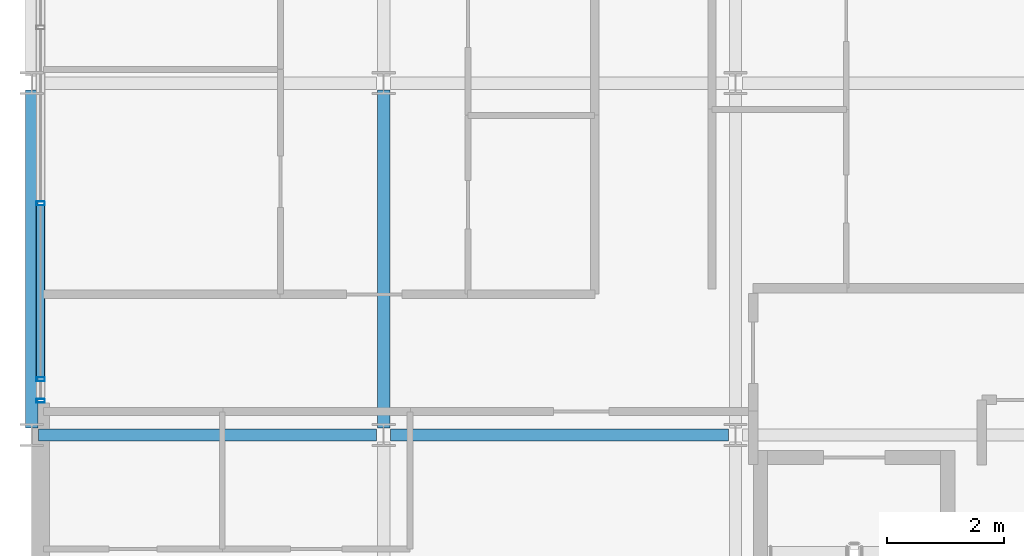
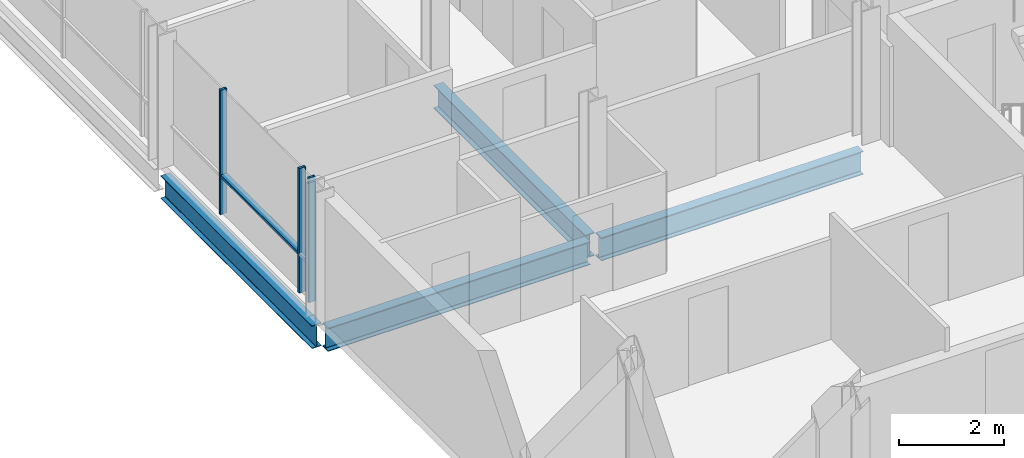
# One storey, part 3 of 27: 4 beams, 4 members, 1 element without a shape of its own.
"""IFC4 building model written with IfcOpenShell, lengths in metres."""

import ifcopenshell
import ifcopenshell.guid

model = None  # the IFC model being written
_history = None  # IfcOwnerHistory: only IFC2X3 demands one
_inside = {}  # id of a spatial element -> (the spatial element, [elements in it])
_under = {}  # id of a project, library or spatial element -> (it, [spatial elements below it])
_declared = {}  # id of a project -> (the project, [libraries it declares])
_typed = {}  # id of a type object -> (the type object, [elements of that type])
_made_of = {}  # id of a material, layer set ... -> (it, [elements and type objects made of it])


def new_model(schema):
    """Start an empty IFC model of exactly this schema.

    Asked for "IFC4X3", IfcOpenShell would pick the latest addendum, in which some entities
    have other attributes; the version numbers below select the first issue.
    IFC2X3 requires an IfcOwnerHistory on every rooted entity: one is made here for all.
    """
    global model, _history
    if schema == "IFC4X3":
        model = ifcopenshell.file(schema_version=(4, 3, 0, 0))
    else:
        model = ifcopenshell.file(schema=schema)
    _inside.clear()
    _under.clear()
    _declared.clear()
    _typed.clear()
    _made_of.clear()
    _history = None
    if model.schema == "IFC2X3":
        org = make("IfcOrganization", Name="unknown")
        user = make(
            "IfcPersonAndOrganization",
            ThePerson=make("IfcPerson", FamilyName="unknown"),
            TheOrganization=org,
        )
        app = make(
            "IfcApplication",
            ApplicationDeveloper=org,
            Version="unknown",
            ApplicationFullName="unknown",
            ApplicationIdentifier="unknown",
        )
        _history = make(
            "IfcOwnerHistory",
            OwningUser=user,
            OwningApplication=app,
            ChangeAction="ADDED",
            CreationDate=0,
        )
    return model


def make(cls, **values):
    """One entity of the class cls with the attributes given. An attribute that is None is left unset."""
    return model.create_entity(
        cls, **{name: value for name, value in values.items() if value is not None}
    )


def rooted(cls, **values):
    """An entity with a GlobalId (a new one), such as an element, a storey or a relation."""
    return make(cls, GlobalId=ifcopenshell.guid.new(), OwnerHistory=_history, **values)


def si_unit(unit_type, name, prefix=None):
    """IfcSIUnit, for example si_unit("LENGTHUNIT", "METRE", prefix="MILLI")."""
    return make("IfcSIUnit", UnitType=unit_type, Prefix=prefix, Name=name)


def assignment(units):
    """IfcUnitAssignment: the units of a project."""
    return None if units is None else make("IfcUnitAssignment", Units=units)


def point(xyz):
    """IfcCartesianPoint."""
    return None if xyz is None else make("IfcCartesianPoint", Coordinates=xyz)


def direction(xyz):
    """IfcDirection."""
    return None if xyz is None else make("IfcDirection", DirectionRatios=xyz)


def frame(location, z_axis=None, x_axis=None):
    """IfcAxis2Placement3D, a coordinate frame: its origin and axes. An axis left out is left unset."""
    return make(
        "IfcAxis2Placement3D",
        Location=point(location),
        Axis=direction(z_axis),
        RefDirection=direction(x_axis),
    )


def frame_2d(location, x_axis=None):
    """IfcAxis2Placement2D, a coordinate frame in the plane: its origin and x axis."""
    return make(
        "IfcAxis2Placement2D", Location=point(location), RefDirection=direction(x_axis)
    )


def origin():
    """The frame at (0, 0, 0) with its axes left unset."""
    return frame((0.0, 0.0, 0.0))


def origin_2d():
    """The frame at (0, 0) in the plane with its x axis left unset."""
    return frame_2d((0.0, 0.0))


def place(relative_to, where):
    """IfcLocalPlacement: puts the frame where relative to a parent placement (None: the world)."""
    return make(
        "IfcLocalPlacement", PlacementRelTo=relative_to, RelativePlacement=where
    )


def context(
    kind, dimensions, precision=None, world=None, true_north=None, identifier=None
):
    """IfcGeometricRepresentationContext, for example the 3D "Model" context."""
    return make(
        "IfcGeometricRepresentationContext",
        ContextIdentifier=identifier,
        ContextType=kind,
        CoordinateSpaceDimension=dimensions,
        Precision=precision,
        WorldCoordinateSystem=world,
        TrueNorth=true_north,
    )


def subcontext(parent, identifier, kind, view, scale=None):
    """IfcGeometricRepresentationSubContext, for example "Body" below "Model"."""
    return make(
        "IfcGeometricRepresentationSubContext",
        ContextIdentifier=identifier,
        ContextType=kind,
        ParentContext=parent,
        TargetScale=scale,
        TargetView=view,
    )


def project(units=None, contexts=None):
    """IfcProject with its units and contexts."""
    return rooted(
        "IfcProject",
        Name="project",
        RepresentationContexts=contexts,
        UnitsInContext=assignment(units),
    )


def spatial(cls, under=None, at=None, **own):
    """A site, building, storey or space (cls), placed at a placement, below another one or the project."""
    s = rooted(cls, ObjectPlacement=at, **own)
    if under is not None:
        _under.setdefault(under.id(), (under, []))[1].append(s)
    return s


def profile(cls, at=None, kind="AREA", **sizes):
    """A parametric profile (cls). Its sizes go by their IFC names, for example OverallWidth=200.0."""
    return make(cls, ProfileType=kind, Position=at, **sizes)


def hollow_rectangle(**sizes):
    """IfcRectangleHollowProfileDef."""
    return profile("IfcRectangleHollowProfileDef", **sizes)


def i_section(**sizes):
    """IfcIShapeProfileDef."""
    return profile("IfcIShapeProfileDef", **sizes)


def extrude(swept, where, along, depth):
    """IfcExtrudedAreaSolid: the profile swept, set in the frame where, extruded along a direction by depth."""
    return make(
        "IfcExtrudedAreaSolid",
        SweptArea=swept,
        Position=where,
        ExtrudedDirection=direction(along),
        Depth=depth,
    )


def shape(context_of_items, identifier, shape_type, items):
    """IfcShapeRepresentation: the items that make up one representation, for example the "Body"."""
    return make(
        "IfcShapeRepresentation",
        ContextOfItems=context_of_items,
        RepresentationIdentifier=identifier,
        RepresentationType=shape_type,
        Items=items,
    )


def material(Name=None, Category=None):
    """IfcMaterial."""
    return make("IfcMaterial", Name=Name, Category=Category)


def layer(
    of_material, thickness, ventilated=None, Name=None, Category=None, Priority=None
):
    """IfcMaterialLayer: one layer of a wall or slab, of a material (None: an air gap)."""
    return make(
        "IfcMaterialLayer",
        Material=of_material,
        LayerThickness=thickness,
        IsVentilated=ventilated,
        Name=Name,
        Category=Category,
        Priority=Priority,
    )


def layer_set(layers, Name=None):
    """IfcMaterialLayerSet."""
    return make("IfcMaterialLayerSet", MaterialLayers=layers, LayerSetName=Name)


def material_profile(
    of_material, cross_section, Name=None, Category=None, Priority=None
):
    """IfcMaterialProfile: a cross section and its material."""
    return make(
        "IfcMaterialProfile",
        Name=Name,
        Material=of_material,
        Profile=cross_section,
        Priority=Priority,
        Category=Category,
    )


def profile_set(profiles, Name=None, composite=None):
    """IfcMaterialProfileSet."""
    return make(
        "IfcMaterialProfileSet",
        Name=Name,
        MaterialProfiles=profiles,
        CompositeProfile=composite,
    )


def made_of(thing, what):
    """Note that an element or type object is made of a material, layer set ...; save() writes the relation."""
    if what is not None:
        _made_of.setdefault(what.id(), (what, []))[1].append(thing)
    return thing


def type_object(cls, material=None, **own):
    """A type object (cls), such as IfcWallType, which elements share."""
    return made_of(rooted(cls, **own), material)


def element(
    cls,
    number,
    at=None,
    inside=None,
    cuts=None,
    type_object=None,
    material=None,
    context=None,
    identifier="Body",
    shape_type=None,
    held_by="IfcProductDefinitionShape",
    body=None,
    shapes=None,
    **own,
):
    """One element of the class cls, such as IfcWall. Its Tag is "e" and its number.

    at: its placement. inside: the storey or other place that contains it. cuts: it is an
    opening in that element (IfcRelVoidsElement). A single representation is given by context,
    identifier, shape_type and body (its items); several are given by shapes. held_by: the class
    of the entity that holds the representations. save() writes the other relations.
    """
    e = rooted(cls, Tag="e%d" % number, ObjectPlacement=at, **own)
    if body is not None:
        shapes = [shape(context, identifier, shape_type, body)]
    if shapes is not None:
        e.Representation = make(held_by, Representations=shapes)
    if inside is not None:
        _inside.setdefault(inside.id(), (inside, []))[1].append(e)
    if cuts is not None:
        rooted(
            "IfcRelVoidsElement", RelatingBuildingElement=cuts, RelatedOpeningElement=e
        )
    if type_object is not None:
        _typed.setdefault(type_object.id(), (type_object, []))[1].append(e)
    return made_of(e, material)


def aggregate(whole, parts):
    """IfcRelAggregates: a whole, such as a stair, and the parts it consists of."""
    return rooted("IfcRelAggregates", RelatingObject=whole, RelatedObjects=parts)


def save(model, path):
    """Write the relations noted so far, then the file.

    IfcRelAggregates (storeys below a building ...), IfcRelContainedInSpatialStructure (elements
    in a storey), IfcRelDefinesByType, IfcRelAssociatesMaterial and IfcRelDeclares: one each for
    every whole, place, type object, material and project.
    """
    for whole, parts in _under.values():
        aggregate(whole, parts)
    for where, things in _inside.values():
        rooted(
            "IfcRelContainedInSpatialStructure",
            RelatedElements=things,
            RelatingStructure=where,
        )
    for kind, things in _typed.values():
        rooted("IfcRelDefinesByType", RelatedObjects=things, RelatingType=kind)
    for what, things in _made_of.values():
        rooted("IfcRelAssociatesMaterial", RelatedObjects=things, RelatingMaterial=what)
    for by, libraries in _declared.values():
        rooted("IfcRelDeclares", RelatingContext=by, RelatedDefinitions=libraries)
    model.write(path)


model = new_model("IFC4")

# Units and contexts
model_context = context("Model", 3, precision=1e-05, world=origin(), true_north=direction((0.0, 1.0)))
body_context = subcontext(model_context, "Body", "Model", "MODEL_VIEW")
ifc_project = project(units=[si_unit("LENGTHUNIT", "METRE"), si_unit("AREAUNIT", "SQUARE_METRE"), si_unit("VOLUMEUNIT", "CUBIC_METRE"), si_unit("PLANEANGLEUNIT", "RADIAN"), si_unit("MASSUNIT", "GRAM", prefix="KILO")], contexts=[model_context])

# Site, building, storey
site_placement = place(None, origin())
site = spatial("IfcSite", under=ifc_project, at=site_placement, CompositionType="ELEMENT")
building_placement = place(site_placement, origin())
building = spatial("IfcBuilding", under=site, at=building_placement, Name="Brevholm Reach", CompositionType="ELEMENT")
storey_placement = place(building_placement, frame((0.0, 0.0, 195.60009765625)))
storey = spatial("IfcBuildingStorey", under=building, at=storey_placement, Name="L59", CompositionType="ELEMENT", Elevation=195.60009765625)

# Beams
ifc_material_1 = material(Name="Structural Steel S355J2", Category="steel")
ifc_material_profile_1 = material_profile(ifc_material_1, i_section(OverallWidth=0.209228515625, OverallDepth=0.533203125, WebThickness=0.010009765625, FlangeThickness=0.015625, FilletRadius=0.0126953125, at=origin_2d()), Name="UKB 533x210x92")
ifc_profile_set_1 = profile_set([ifc_material_profile_1], Name="Structural Steel S355J2")
beam_type_1 = type_object("IfcBeamType", Name="BM-SP533", PredefinedType="SPANDREL", material=ifc_profile_set_1)
beam_placement = place(storey_placement, frame((0.0, 10.1201171875, -0.4765625), z_axis=(0.0, 1.0, 0.0), x_axis=(-1.0, 0.0, 0.0)))
element("IfcBeam", 1, at=beam_placement, inside=storey, type_object=beam_type_1, Name="L59 SP-02 Framing Beam", PredefinedType="SPANDREL", context=body_context, shape_type="SweptSolid", body=[
    extrude(i_section(OverallWidth=0.209228515625, OverallDepth=0.533203125, WebThickness=0.010009765625, FlangeThickness=0.015625, FilletRadius=0.0126953125, at=origin_2d()), origin(), (0.0, 0.0, 1.0), 5.759765625),
])
ifc_material_2 = material(Name="Structural Steel S355J2", Category="steel")
ifc_material_profile_2 = material_profile(ifc_material_2, i_section(OverallWidth=0.210693359375, OverallDepth=0.53955078125, WebThickness=0.01171875, FlangeThickness=0.018798828125, FilletRadius=0.0126953125, at=origin_2d()), Name="UKB 533x210x109")
ifc_profile_set_2 = profile_set([ifc_material_profile_2], Name="Structural Steel S355J2")
beam_type_2 = type_object("IfcBeamType", Name="BM-SP539", PredefinedType="SPANDREL", material=ifc_profile_set_2)
for number, where, z_axis, x_axis, name in (
    (2, (0.1201171875, 10.0, -0.479736328125), (1.0, 0.0, 0.0), (0.0, 1.0, 0.0), "L59 SP-01B Framing Beam"),
    (3, (6.1201171875, 10.0, -0.479736328125), (1.0, 0.0, 0.0), (0.0, 1.0, 0.0), "L59 SP-01B Framing Beam"),
    (4, (6.0, 10.1201171875, -0.479736328125), (0.0, 1.0, 0.0), (-1.0, 0.0, 0.0), "L59 SP-01B Framing Beam"),
):
    element("IfcBeam", number, at=place(storey_placement, frame(where, z_axis=z_axis, x_axis=x_axis)), inside=storey, type_object=beam_type_2, Name=name, PredefinedType="SPANDREL", context=body_context, shape_type="SweptSolid", body=[
        extrude(i_section(OverallWidth=0.210693359375, OverallDepth=0.53955078125, WebThickness=0.01171875, FlangeThickness=0.018798828125, FilletRadius=0.0126953125, at=origin_2d()), origin(), (0.0, 0.0, 1.0), 5.759765625),
    ])

# Curtain wall, members
ifc_material_3 = material(Name="Dark Anodised Aluminium 6063-T6 and Solar-Control Glass", Category="aluminium")
ifc_layer = layer(ifc_material_3, 0.14990234375)
ifc_layer_set = layer_set([ifc_layer], Name="Dark Anodised Aluminium 6063-T6 and Solar-Control Glass")
curtain_wall_type = type_object("IfcCurtainWallType", Name="CW-01", PredefinedType="NOTDEFINED", material=ifc_layer_set)
curtain_wall_placement = place(storey_placement, origin())
curtain_wall = element("IfcCurtainWall", 5, at=curtain_wall_placement, inside=storey, type_object=curtain_wall_type, Name="L59 Curtain Wall CW-01", PredefinedType="NOTDEFINED")
ifc_material_4 = material(Name="Dark Anodised Aluminium 6063-T6", Category="aluminium")
ifc_material_profile_3 = material_profile(ifc_material_4, hollow_rectangle(XDim=0.06494140625, YDim=0.14990234375, WallThickness=0.0048828125, InnerFilletRadius=0.0048828125, OuterFilletRadius=0.010009765625, at=origin_2d()), Name="RHS 150x65x5")
ifc_profile_set_3 = profile_set([ifc_material_profile_3], Name="Dark Anodised Aluminium 6063-T6")
member_type_1 = type_object("IfcMemberType", Name="CWM-150", PredefinedType="MULLION", material=ifc_profile_set_3)
member_1_placement = place(storey_placement, frame((0.14990234375, 13.949951171875, 0.0), z_axis=(0.0, 0.0, 1.0), x_axis=(0.0, -1.0, 0.0)))
member_1 = element("IfcMember", 6, at=member_1_placement, type_object=member_type_1, Name="CM-150 Mullion 4", PredefinedType="MULLION", context=body_context, shape_type="SweptSolid", body=[
    extrude(hollow_rectangle(XDim=0.06494140625, YDim=0.14990234375, WallThickness=0.0048828125, InnerFilletRadius=0.0048828125, OuterFilletRadius=0.010009765625, at=origin_2d()), origin(), (0.0, 0.0, 1.0), 2.889892578125),
])
member_2_placement = place(storey_placement, frame((0.14990234375, 10.949951171875, 0.0), z_axis=(0.0, 0.0, 1.0), x_axis=(0.0, -1.0, 0.0)))
member_2 = element("IfcMember", 7, at=member_2_placement, type_object=member_type_1, Name="CM-150 Mullion 5", PredefinedType="MULLION", context=body_context, shape_type="SweptSolid", body=[
    extrude(hollow_rectangle(XDim=0.06494140625, YDim=0.14990234375, WallThickness=0.0048828125, InnerFilletRadius=0.0048828125, OuterFilletRadius=0.010009765625, at=origin_2d()), origin(), (0.0, 0.0, 1.0), 2.889892578125),
])
member_3_placement = place(storey_placement, frame((0.14990234375, 10.58251953125, 0.0), z_axis=(0.0, 0.0, 1.0), x_axis=(0.0, -1.0, 0.0)))
member_3 = element("IfcMember", 8, at=member_3_placement, type_object=member_type_1, Name="CM-150 Mullion 6", PredefinedType="MULLION", context=body_context, shape_type="SweptSolid", body=[
    extrude(hollow_rectangle(XDim=0.06494140625, YDim=0.14990234375, WallThickness=0.0048828125, InnerFilletRadius=0.0048828125, OuterFilletRadius=0.010009765625, at=origin_2d()), origin(), (0.0, 0.0, 1.0), 2.889892578125),
])
ifc_material_5 = material(Name="Dark Anodised Aluminium 6063-T6", Category="aluminium")
ifc_material_profile_4 = material_profile(ifc_material_5, hollow_rectangle(XDim=0.06494140625, YDim=0.14990234375, WallThickness=0.0048828125, InnerFilletRadius=0.0048828125, OuterFilletRadius=0.010009765625, at=origin_2d()), Name="RHS 150x65x5")
ifc_profile_set_4 = profile_set([ifc_material_profile_4], Name="Dark Anodised Aluminium 6063-T6")
member_type_2 = type_object("IfcMemberType", Name="CWT-150", PredefinedType="NOTDEFINED", material=ifc_profile_set_4)
member_4_placement = place(storey_placement, frame((0.14990234375, 13.91748046875, 0.89990234375), z_axis=(0.0, -1.0, 0.0), x_axis=(0.0, 0.0, 1.0)))
member_4 = element("IfcMember", 9, at=member_4_placement, type_object=member_type_2, Name="CT-150 Transom 4.1", ObjectType="TRANSOM", PredefinedType="USERDEFINED", context=body_context, shape_type="SweptSolid", body=[
    extrude(hollow_rectangle(XDim=0.06494140625, YDim=0.14990234375, WallThickness=0.0048828125, InnerFilletRadius=0.0048828125, OuterFilletRadius=0.010009765625, at=origin_2d()), origin(), (0.0, 0.0, 1.0), 2.93505859375),
])
aggregate(curtain_wall, [member_1, member_2, member_3, member_4])

save(model, "model.ifc")
